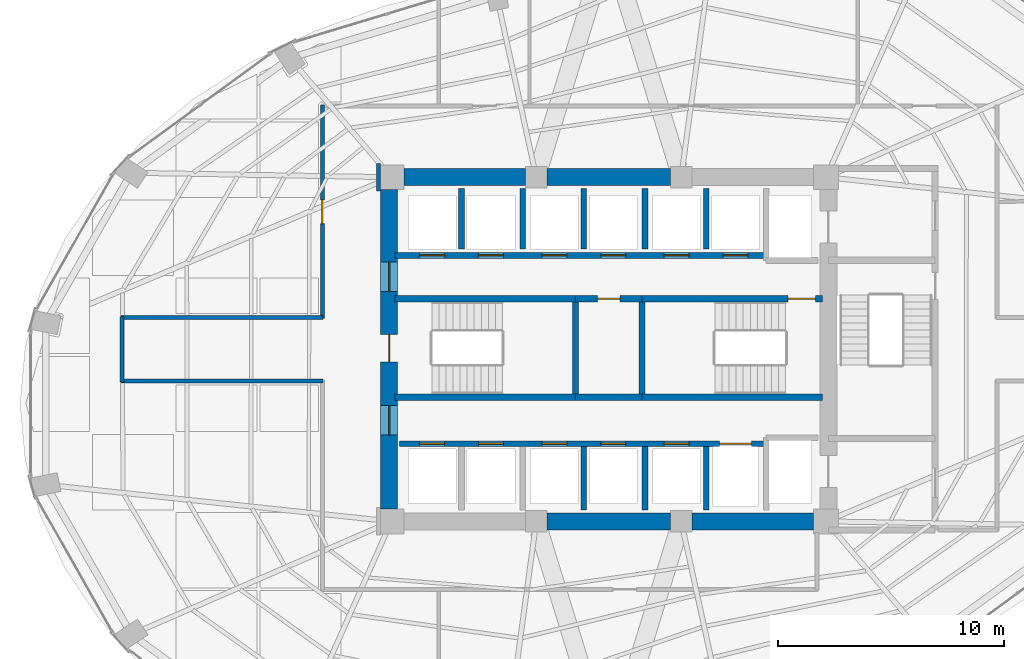
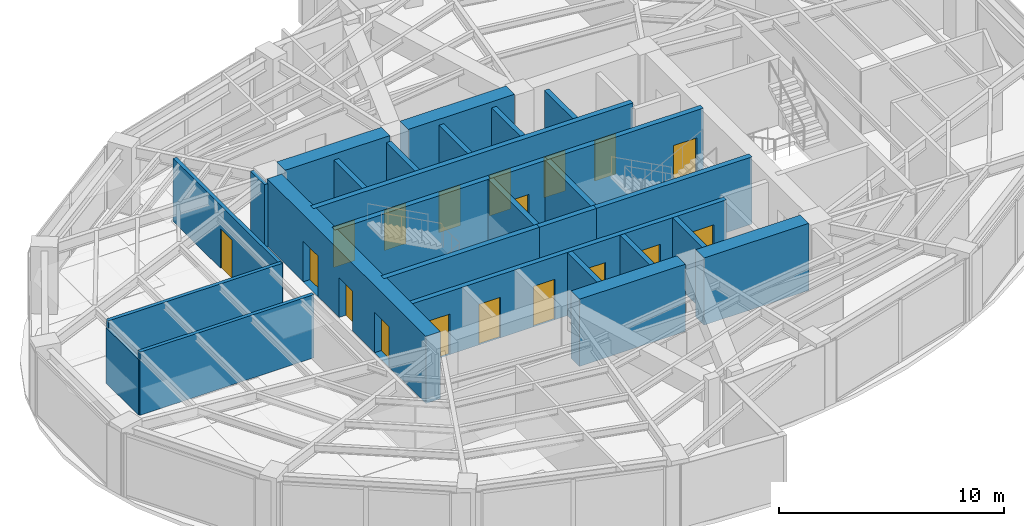
# One storey, part 19 of 23: 28 walls, 18 doors, 18 openings.
"""IFC4 building model written with IfcOpenShell, lengths in metres."""

from ifc_helpers import new_model, si_unit, direction, frame, frame_2d, origin, place, context, subcontext, project, spatial, rectangle, extrude, material, layer, layer_set, type_object, element, fill, save


model = new_model("IFC4")

# Units and contexts
model_context = context("Model", 3, precision=1e-05, world=origin(), true_north=direction((0.0, 1.0)))
body_context = subcontext(model_context, "Body", "Model", "MODEL_VIEW")
ifc_project = project(units=[si_unit("LENGTHUNIT", "METRE"), si_unit("AREAUNIT", "SQUARE_METRE"), si_unit("VOLUMEUNIT", "CUBIC_METRE"), si_unit("PLANEANGLEUNIT", "RADIAN"), si_unit("MASSUNIT", "GRAM", prefix="KILO")], contexts=[model_context])

# Site, building, storey
site_placement = place(None, origin())
site = spatial("IfcSite", under=ifc_project, at=site_placement, CompositionType="ELEMENT")
building_placement = place(site_placement, origin())
building = spatial("IfcBuilding", under=site, at=building_placement, Name="Lazwardi Medical Tower", CompositionType="ELEMENT")
storey_placement = place(building_placement, frame((0.0, 0.0, 121.8720703125)))
storey = spatial("IfcBuildingStorey", under=building, at=storey_placement, Name="L31", CompositionType="ELEMENT", Elevation=121.8720703125)

# Walls
ifc_material_1 = material(Name="Fire-rated gypsum board on steel stud", Category="steel")
ifc_layer_1 = layer(ifc_material_1, 0.179931640625)
ifc_layer_set_1 = layer_set([ifc_layer_1], Name="Fire-rated gypsum board on steel stud")
wall_type_1 = type_object("IfcWallType", Name="WL-COR-180", PredefinedType="PARTITIONING", material=ifc_layer_set_1)
wall_1_placement = place(storey_placement, frame((14.5, 26.56005859375, 0.0), z_axis=(0.0, 0.0, 1.0), x_axis=(0.0, 1.0, 0.0)))
element("IfcWall", 1, at=wall_1_placement, inside=storey, type_object=wall_type_1, Name="L31 Corridor partition 1", PredefinedType="PARTITIONING", context=body_context, shape_type="SweptSolid", body=[
    extrude(rectangle(XDim=2.8798828125, YDim=0.179931640625, at=frame_2d((1.43994140625, 0.0))), origin(), (0.0, 0.0, 1.0), 3.012939453125),
])
wall_2_placement = place(storey_placement, frame((14.4599609375, 29.39990234375, 0.0), z_axis=(0.0, 0.0, 1.0), x_axis=(1.0, 0.0, 0.0)))
element("IfcWall", 2, at=wall_2_placement, inside=storey, type_object=wall_type_1, Name="L31 Corridor partition 2", PredefinedType="PARTITIONING", context=body_context, shape_type="SweptSolid", body=[
    extrude(rectangle(XDim=8.929931640625, YDim=0.179931640625, at=frame_2d((4.46484375, 0.0))), origin(), (0.0, 0.0, 1.0), 3.427978515625),
])

# Wall, opening, door
wall_3_placement = place(storey_placement, frame((23.35009765625, 29.360107421875, 0.0), z_axis=(0.0, 0.0, 1.0), x_axis=(0.0, 1.0, 0.0)))
wall_3 = element("IfcWall", 3, at=wall_3_placement, inside=storey, type_object=wall_type_1, Name="L31 Corridor partition 3", PredefinedType="PARTITIONING", context=body_context, shape_type="SweptSolid", body=[
    extrude(rectangle(XDim=9.429931640625, YDim=0.179931640625, at=frame_2d((4.71484375, 0.0))), origin(), (0.0, 0.0, 1.0), 3.427978515625),
])
opening_1_placement = place(wall_3_placement, frame((4.18994140625, 0.0, 0.0)))
opening_1 = element("IfcOpeningElement", 4, at=opening_1_placement, cuts=wall_3, Name="Opening D-L31-006", PredefinedType="OPENING", context=body_context, shape_type="SweptSolid", body=[
    extrude(rectangle(XDim=1.050048828125, YDim=2.14990234375, at=frame_2d((0.52490234375, 1.074951171875))), frame((0.0, 0.099853515625, 0.0), z_axis=(0.0, -1.0, 0.0), x_axis=(1.0, 0.0, 0.0)), (0.0, 0.0, 1.0), 0.199951171875),
])
ifc_material_2 = material(Name="Anti-microbial laminate hospital leaf")
door_type_1 = type_object("IfcDoorType", Name="DR-CLN-1050", OperationType="NOTDEFINED", PredefinedType="DOOR", material=ifc_material_2)
door_1_placement = place(opening_1_placement, origin())
door_1 = element("IfcDoor", 5, at=door_1_placement, inside=storey, type_object=door_type_1, Name="L31 Medical Duty Staff Room Door 01", OperationType="SINGLE_SWING_LEFT", OverallHeight=2.14990234375, OverallWidth=1.050048828125, PredefinedType="DOOR", context=body_context, shape_type="SweptSolid", body=[
    extrude(rectangle(XDim=1.050048828125, YDim=2.14990234375, at=frame_2d((0.52490234375, 1.074951171875))), frame((0.0, 0.02490234375, 0.0), z_axis=(0.0, -1.0, 0.0), x_axis=(1.0, 0.0, 0.0)), (0.0, 0.0, 1.0), 0.050048828125),
])
fill(opening_1, door_1)

# Walls
wall_4_placement = place(storey_placement, frame((25.830078125, 36.2099609375, 0.0), z_axis=(0.0, 0.0, 1.0), x_axis=(0.0, -1.0, 0.0)))
element("IfcWall", 6, at=wall_4_placement, inside=storey, type_object=wall_type_1, Name="L31 Corridor partition 11", PredefinedType="PARTITIONING", context=body_context, shape_type="SweptSolid", body=[
    extrude(rectangle(XDim=1.219970703125, YDim=0.179931640625, at=frame_2d((0.60986328125, 0.0))), origin(), (0.0, 0.0, 1.0), 3.427978515625),
])
wall_5_placement = place(storey_placement, frame((23.389892578125, 26.60009765625, 0.0), z_axis=(0.0, 0.0, 1.0), x_axis=(-1.0, 0.0, 0.0)))
element("IfcWall", 7, at=wall_5_placement, inside=storey, type_object=wall_type_1, Name="L31 Corridor partition 16", PredefinedType="PARTITIONING", context=body_context, shape_type="SweptSolid", body=[
    extrude(rectangle(XDim=8.929931640625, YDim=0.179931640625, at=frame_2d((4.46484375, 0.0))), origin(), (0.0, 0.0, 1.0), 3.427978515625),
])

# Wall, openings, doors
ifc_material_3 = material(Name="Concrete C70/85", Category="concrete")
ifc_layer_2 = layer(ifc_material_3, 0.75)
ifc_layer_set_2 = layer_set([ifc_layer_2], Name="Concrete C70/85")
wall_type_2 = type_object("IfcWallType", Name="WL-CORE-750", PredefinedType="SHEAR", material=ifc_layer_set_2)
wall_6_placement = place(storey_placement, frame((26.300048828125, 20.949951171875, 0.0), z_axis=(0.0, 0.0, 1.0), x_axis=(0.0, 1.0, 0.0)))
wall_6 = element("IfcWall", 8, at=wall_6_placement, inside=storey, type_object=wall_type_2, Name="Core wall CW-S2 west L31", PredefinedType="SHEAR", context=body_context, shape_type="SweptSolid", body=[
    extrude(rectangle(XDim=14.10009765625, YDim=0.75, at=frame_2d((7.050048828125, 0.0))), origin(), (0.0, 0.0, 1.0), 3.64794921875),
])
opening_2_placement = place(wall_6_placement, frame((6.5, 0.0, 0.0)))
opening_2 = element("IfcOpeningElement", 9, at=opening_2_placement, cuts=wall_6, Name="Opening D-L31-011", PredefinedType="OPENING", context=body_context, shape_type="SweptSolid", body=[
    extrude(rectangle(XDim=1.199951171875, YDim=2.14990234375, at=frame_2d((0.60009765625, 1.074951171875))), frame((0.0, 0.385009765625, 0.0), z_axis=(0.0, -1.0, 0.0), x_axis=(1.0, 0.0, 0.0)), (0.0, 0.0, 1.0), 0.77001953125),
])
opening_3_placement = place(wall_6_placement, frame((9.60009765625, 0.0, 0.0)))
opening_3 = element("IfcOpeningElement", 10, at=opening_3_placement, cuts=wall_6, Name="Opening D-L31-004", PredefinedType="OPENING", context=body_context, shape_type="SweptSolid", body=[
    extrude(rectangle(XDim=1.300048828125, YDim=2.199951171875, at=frame_2d((0.64990234375, 1.10009765625))), frame((0.0, 0.385009765625, 0.0), z_axis=(0.0, -1.0, 0.0), x_axis=(1.0, 0.0, 0.0)), (0.0, 0.0, 1.0), 0.77001953125),
])
opening_4_placement = place(wall_6_placement, frame((3.260009765625, 0.0, 0.0)))
opening_4 = element("IfcOpeningElement", 11, at=opening_4_placement, cuts=wall_6, Name="Opening D-L31-005", PredefinedType="OPENING", context=body_context, shape_type="SweptSolid", body=[
    extrude(rectangle(XDim=1.300048828125, YDim=2.199951171875, at=frame_2d((0.64990234375, 1.10009765625))), frame((0.0, 0.385009765625, 0.0), z_axis=(0.0, -1.0, 0.0), x_axis=(1.0, 0.0, 0.0)), (0.0, 0.0, 1.0), 0.77001953125),
])
ifc_material_4 = material(Name="Fire-rated steel leaf and frame", Category="steel")
door_type_2 = type_object("IfcDoorType", Name="DR-FFL-1300", OperationType="NOTDEFINED", PredefinedType="DOOR", material=ifc_material_4)
door_2_placement = place(opening_3_placement, origin())
door_2 = element("IfcDoor", 12, at=door_2_placement, inside=storey, type_object=door_type_2, Name="L31 North Lift Lobby Door", OperationType="SINGLE_SWING_RIGHT", OverallHeight=2.199951171875, OverallWidth=1.300048828125, PredefinedType="DOOR", context=body_context, shape_type="SweptSolid", body=[
    extrude(rectangle(XDim=1.300048828125, YDim=2.199951171875, at=frame_2d((0.64990234375, 1.10009765625))), frame((0.0, 0.02490234375, 0.0), z_axis=(0.0, -1.0, 0.0), x_axis=(1.0, 0.0, 0.0)), (0.0, 0.0, 1.0), 0.050048828125),
])
fill(opening_3, door_2)
door_3_placement = place(opening_4_placement, origin())
door_3 = element("IfcDoor", 13, at=door_3_placement, inside=storey, type_object=door_type_2, Name="L31 South Lift Lobby Door", OperationType="SINGLE_SWING_LEFT", OverallHeight=2.199951171875, OverallWidth=1.300048828125, PredefinedType="DOOR", context=body_context, shape_type="SweptSolid", body=[
    extrude(rectangle(XDim=1.300048828125, YDim=2.199951171875, at=frame_2d((0.64990234375, 1.10009765625))), frame((0.0, 0.02490234375, 0.0), z_axis=(0.0, -1.0, 0.0), x_axis=(1.0, 0.0, 0.0)), (0.0, 0.0, 1.0), 0.050048828125),
])
fill(opening_4, door_3)
door_type_3 = type_object("IfcDoorType", Name="DR-STR-1200", OperationType="NOTDEFINED", PredefinedType="DOOR", material=ifc_material_4)
door_4_placement = place(opening_2_placement, origin())
door_4 = element("IfcDoor", 14, at=door_4_placement, inside=storey, type_object=door_type_3, Name="L31 Exit Stair ST1 Door", OperationType="SINGLE_SWING_LEFT", OverallHeight=2.14990234375, OverallWidth=1.199951171875, PredefinedType="DOOR", context=body_context, shape_type="SweptSolid", body=[
    extrude(rectangle(XDim=1.199951171875, YDim=2.14990234375, at=frame_2d((0.60009765625, 1.074951171875))), frame((0.0, 0.02490234375, 0.0), z_axis=(0.0, -1.0, 0.0), x_axis=(1.0, 0.0, 0.0)), (0.0, 0.0, 1.0), 0.050048828125),
])
fill(opening_2, door_4)

# Walls
wall_7_placement = place(storey_placement, frame((26.949951171875, 35.60009765625, 0.0), z_axis=(0.0, 0.0, 1.0), x_axis=(1.0, 0.0, 0.0)))
element("IfcWall", 15, at=wall_7_placement, inside=storey, type_object=wall_type_2, Name="Core wall CW-S2 N1 L31", PredefinedType="SHEAR", context=body_context, shape_type="SweptSolid", body=[
    extrude(rectangle(XDim=5.375, YDim=0.75, at=frame_2d((2.6875, 0.0))), origin(), (0.0, 0.0, 1.0), 3.64794921875),
])
for number, where, z_axis, x_axis, name in (
    (16, (33.27490234375, 20.39990234375, 0.0), (0.0, 0.0, 1.0), (1.0, 0.0, 0.0), "Core wall CW-S2 S2 L31"),
    (17, (33.27490234375, 35.60009765625, 0.0), (0.0, 0.0, 1.0), (1.0, 0.0, 0.0), "Core wall CW-S2 N2 L31"),
):
    element("IfcWall", number, at=place(storey_placement, frame(where, z_axis=z_axis, x_axis=x_axis)), inside=storey, type_object=wall_type_2, Name=name, PredefinedType="SHEAR", context=body_context, shape_type="SweptSolid", body=[
        extrude(rectangle(XDim=5.4501953125, YDim=0.75, at=frame_2d((2.72509765625, 0.0))), origin(), (0.0, 0.0, 1.0), 3.64794921875),
    ])
wall_8_placement = place(storey_placement, frame((39.675048828125, 20.39990234375, 0.0), z_axis=(0.0, 0.0, 1.0), x_axis=(1.0, 0.0, 0.0)))
element("IfcWall", 18, at=wall_8_placement, inside=storey, type_object=wall_type_2, Name="Core wall CW-S2 S3 L31", PredefinedType="SHEAR", context=body_context, shape_type="SweptSolid", body=[
    extrude(rectangle(XDim=5.375, YDim=0.75, at=frame_2d((2.6875, 0.0))), origin(), (0.0, 0.0, 1.0), 3.64794921875),
])

# Wall, openings, doors
ifc_material_5 = material(Name="Autoclaved aerated concrete blockwork", Category="masonry")
ifc_layer_3 = layer(ifc_material_5, 0.25)
ifc_layer_set_3 = layer_set([ifc_layer_3], Name="Autoclaved aerated concrete blockwork")
wall_type_3 = type_object("IfcWallType", Name="WL-SHAFT-250", PredefinedType="SOLIDWALL", material=ifc_layer_set_3)
wall_9_placement = place(storey_placement, frame((26.75, 23.830078125, 0.0), z_axis=(0.0, 0.0, 1.0), x_axis=(1.0, 0.0, 0.0)))
wall_9 = element("IfcWall", 19, at=wall_9_placement, inside=storey, type_object=wall_type_3, Name="L31 South lift bank front wall", PredefinedType="SOLIDWALL", context=body_context, shape_type="SweptSolid", body=[
    extrude(rectangle(XDim=16.199951171875, YDim=0.25, at=frame_2d((8.10009765625, 0.0))), origin(), (0.0, 0.0, 1.0), 3.427978515625),
])
opening_5_placement = place(wall_9_placement, frame((0.89990234375, 0.0, 0.0)))
opening_5 = element("IfcOpeningElement", 20, at=opening_5_placement, cuts=wall_9, Name="Opening LD-L31-006", PredefinedType="OPENING", context=body_context, shape_type="SweptSolid", body=[
    extrude(rectangle(XDim=1.10009765625, YDim=2.199951171875, at=frame_2d((0.550048828125, 1.10009765625))), frame((0.0, 0.135009765625, 0.0), z_axis=(0.0, -1.0, 0.0), x_axis=(1.0, 0.0, 0.0)), (0.0, 0.0, 1.0), 0.27001953125),
])
opening_6_placement = place(wall_9_placement, frame((3.5, 0.0, 0.0)))
opening_6 = element("IfcOpeningElement", 21, at=opening_6_placement, cuts=wall_9, Name="Opening LD-L31-007", PredefinedType="OPENING", context=body_context, shape_type="SweptSolid", body=[
    extrude(rectangle(XDim=1.10009765625, YDim=2.199951171875, at=frame_2d((0.550048828125, 1.10009765625))), frame((0.0, 0.135009765625, 0.0), z_axis=(0.0, -1.0, 0.0), x_axis=(1.0, 0.0, 0.0)), (0.0, 0.0, 1.0), 0.27001953125),
])
opening_7_placement = place(wall_9_placement, frame((6.300048828125, 0.0, 0.0)))
opening_7 = element("IfcOpeningElement", 22, at=opening_7_placement, cuts=wall_9, Name="Opening LD-L31-010", PredefinedType="OPENING", context=body_context, shape_type="SweptSolid", body=[
    extrude(rectangle(XDim=1.10009765625, YDim=2.199951171875, at=frame_2d((0.550048828125, 1.10009765625))), frame((0.0, 0.135009765625, 0.0), z_axis=(0.0, -1.0, 0.0), x_axis=(1.0, 0.0, 0.0)), (0.0, 0.0, 1.0), 0.27001953125),
])
opening_8_placement = place(wall_9_placement, frame((8.89990234375, 0.0, 0.0)))
opening_8 = element("IfcOpeningElement", 23, at=opening_8_placement, cuts=wall_9, Name="Opening LD-L31-011", PredefinedType="OPENING", context=body_context, shape_type="SweptSolid", body=[
    extrude(rectangle(XDim=1.10009765625, YDim=2.199951171875, at=frame_2d((0.550048828125, 1.10009765625))), frame((0.0, 0.135009765625, 0.0), z_axis=(0.0, -1.0, 0.0), x_axis=(1.0, 0.0, 0.0)), (0.0, 0.0, 1.0), 0.27001953125),
])
opening_9_placement = place(wall_9_placement, frame((11.699951171875, 0.0, 0.0)))
opening_9 = element("IfcOpeningElement", 24, at=opening_9_placement, cuts=wall_9, Name="Opening LD-L31-014", PredefinedType="OPENING", context=body_context, shape_type="SweptSolid", body=[
    extrude(rectangle(XDim=1.10009765625, YDim=2.199951171875, at=frame_2d((0.550048828125, 1.10009765625))), frame((0.0, 0.135009765625, 0.0), z_axis=(0.0, -1.0, 0.0), x_axis=(1.0, 0.0, 0.0)), (0.0, 0.0, 1.0), 0.27001953125),
])
opening_10_placement = place(wall_9_placement, frame((14.14990234375, 0.0, 0.0)))
opening_10 = element("IfcOpeningElement", 25, at=opening_10_placement, cuts=wall_9, Name="Opening LD-L31-003", PredefinedType="OPENING", context=body_context, shape_type="SweptSolid", body=[
    extrude(rectangle(XDim=1.39990234375, YDim=2.300048828125, at=frame_2d((0.699951171875, 1.14990234375))), frame((0.0, 0.135009765625, 0.0), z_axis=(0.0, -1.0, 0.0), x_axis=(1.0, 0.0, 0.0)), (0.0, 0.0, 1.0), 0.27001953125),
])
ifc_material_6 = material(Name="Brushed bronze stainless steel landing door", Category="steel")
door_type_4 = type_object("IfcDoorType", Name="DR-LFT-1100", OperationType="NOTDEFINED", PredefinedType="DOOR", material=ifc_material_6)
door_5_placement = place(opening_5_placement, origin())
door_5 = element("IfcDoor", 26, at=door_5_placement, inside=storey, type_object=door_type_4, Name="L31 Lift Landing Door PL-03", OperationType="SLIDING_TO_LEFT", OverallHeight=2.199951171875, OverallWidth=1.10009765625, PredefinedType="DOOR", context=body_context, shape_type="SweptSolid", body=[
    extrude(rectangle(XDim=1.10009765625, YDim=2.199951171875, at=frame_2d((0.550048828125, 1.10009765625))), frame((0.0, 0.02490234375, 0.0), z_axis=(0.0, -1.0, 0.0), x_axis=(1.0, 0.0, 0.0)), (0.0, 0.0, 1.0), 0.050048828125),
])
fill(opening_5, door_5)
door_6_placement = place(opening_6_placement, origin())
door_6 = element("IfcDoor", 27, at=door_6_placement, inside=storey, type_object=door_type_4, Name="L31 Lift Landing Door PL-04", OperationType="SLIDING_TO_LEFT", OverallHeight=2.199951171875, OverallWidth=1.10009765625, PredefinedType="DOOR", context=body_context, shape_type="SweptSolid", body=[
    extrude(rectangle(XDim=1.10009765625, YDim=2.199951171875, at=frame_2d((0.550048828125, 1.10009765625))), frame((0.0, 0.02490234375, 0.0), z_axis=(0.0, -1.0, 0.0), x_axis=(1.0, 0.0, 0.0)), (0.0, 0.0, 1.0), 0.050048828125),
])
fill(opening_6, door_6)
door_7_placement = place(opening_7_placement, origin())
door_7 = element("IfcDoor", 28, at=door_7_placement, inside=storey, type_object=door_type_4, Name="L31 Lift Landing Door PL-07", OperationType="SLIDING_TO_LEFT", OverallHeight=2.199951171875, OverallWidth=1.10009765625, PredefinedType="DOOR", context=body_context, shape_type="SweptSolid", body=[
    extrude(rectangle(XDim=1.10009765625, YDim=2.199951171875, at=frame_2d((0.550048828125, 1.10009765625))), frame((0.0, 0.02490234375, 0.0), z_axis=(0.0, -1.0, 0.0), x_axis=(1.0, 0.0, 0.0)), (0.0, 0.0, 1.0), 0.050048828125),
])
fill(opening_7, door_7)
door_8_placement = place(opening_8_placement, origin())
door_8 = element("IfcDoor", 29, at=door_8_placement, inside=storey, type_object=door_type_4, Name="L31 Lift Landing Door PL-08", OperationType="SLIDING_TO_LEFT", OverallHeight=2.199951171875, OverallWidth=1.10009765625, PredefinedType="DOOR", context=body_context, shape_type="SweptSolid", body=[
    extrude(rectangle(XDim=1.10009765625, YDim=2.199951171875, at=frame_2d((0.550048828125, 1.10009765625))), frame((0.0, 0.02490234375, 0.0), z_axis=(0.0, -1.0, 0.0), x_axis=(1.0, 0.0, 0.0)), (0.0, 0.0, 1.0), 0.050048828125),
])
fill(opening_8, door_8)
door_9_placement = place(opening_9_placement, origin())
door_9 = element("IfcDoor", 30, at=door_9_placement, inside=storey, type_object=door_type_4, Name="L31 Lift Landing Door PL-11", OperationType="SLIDING_TO_LEFT", OverallHeight=2.199951171875, OverallWidth=1.10009765625, PredefinedType="DOOR", context=body_context, shape_type="SweptSolid", body=[
    extrude(rectangle(XDim=1.10009765625, YDim=2.199951171875, at=frame_2d((0.550048828125, 1.10009765625))), frame((0.0, 0.02490234375, 0.0), z_axis=(0.0, -1.0, 0.0), x_axis=(1.0, 0.0, 0.0)), (0.0, 0.0, 1.0), 0.050048828125),
])
fill(opening_9, door_9)
ifc_material_7 = material(Name="Brushed stainless steel bed-lift landing door", Category="steel")
door_type_5 = type_object("IfcDoorType", Name="DR-LFT-1400", OperationType="NOTDEFINED", PredefinedType="DOOR", material=ifc_material_7)
door_10_placement = place(opening_10_placement, origin())
door_10 = element("IfcDoor", 31, at=door_10_placement, inside=storey, type_object=door_type_5, Name="L31 Lift Landing Door FL-03", OperationType="SLIDING_TO_LEFT", OverallHeight=2.300048828125, OverallWidth=1.39990234375, PredefinedType="DOOR", context=body_context, shape_type="SweptSolid", body=[
    extrude(rectangle(XDim=1.39990234375, YDim=2.300048828125, at=frame_2d((0.699951171875, 1.14990234375))), frame((0.0, 0.02490234375, 0.0), z_axis=(0.0, -1.0, 0.0), x_axis=(1.0, 0.0, 0.0)), (0.0, 0.0, 1.0), 0.050048828125),
])
fill(opening_10, door_10)

# Walls
for number, where, z_axis, x_axis, name in (
    (32, (29.5, 32.419921875, 0.0), (0.0, 0.0, 1.0), (0.0, 1.0, 0.0), "L31 North hoistway divider"),
    (33, (32.199951171875, 32.419921875, 0.0), (0.0, 0.0, 1.0), (0.0, 1.0, 0.0), "L31 North hoistway divider"),
    (34, (34.89990234375, 32.419921875, 0.0), (0.0, 0.0, 1.0), (0.0, 1.0, 0.0), "L31 North hoistway divider"),
):
    element("IfcWall", number, at=place(storey_placement, frame(where, z_axis=z_axis, x_axis=x_axis)), inside=storey, type_object=wall_type_3, Name=name, PredefinedType="SOLIDWALL", context=body_context, shape_type="SweptSolid", body=[
        extrude(rectangle(XDim=2.68017578125, YDim=0.25, at=frame_2d((1.340087890625, 0.0))), origin(), (0.0, 0.0, 1.0), 3.427978515625),
    ])
wall_10_placement = place(storey_placement, frame((34.89990234375, 20.89990234375, 0.0), z_axis=(0.0, 0.0, 1.0), x_axis=(0.0, 1.0, 0.0)))
element("IfcWall", 35, at=wall_10_placement, inside=storey, type_object=wall_type_3, Name="L31 South hoistway divider", PredefinedType="SOLIDWALL", context=body_context, shape_type="SweptSolid", body=[
    extrude(rectangle(XDim=2.800048828125, YDim=0.25, at=frame_2d((1.39990234375, 0.0))), origin(), (0.0, 0.0, 1.0), 3.427978515625),
])
wall_11_placement = place(storey_placement, frame((37.60009765625, 32.419921875, 0.0), z_axis=(0.0, 0.0, 1.0), x_axis=(0.0, 1.0, 0.0)))
element("IfcWall", 36, at=wall_11_placement, inside=storey, type_object=wall_type_3, Name="L31 North hoistway divider", PredefinedType="SOLIDWALL", context=body_context, shape_type="SweptSolid", body=[
    extrude(rectangle(XDim=2.68017578125, YDim=0.25, at=frame_2d((1.340087890625, 0.0))), origin(), (0.0, 0.0, 1.0), 3.427978515625),
])
wall_12_placement = place(storey_placement, frame((37.60009765625, 20.89990234375, 0.0), z_axis=(0.0, 0.0, 1.0), x_axis=(0.0, 1.0, 0.0)))
element("IfcWall", 37, at=wall_12_placement, inside=storey, type_object=wall_type_3, Name="L31 South hoistway divider", PredefinedType="SOLIDWALL", context=body_context, shape_type="SweptSolid", body=[
    extrude(rectangle(XDim=2.800048828125, YDim=0.25, at=frame_2d((1.39990234375, 0.0))), origin(), (0.0, 0.0, 1.0), 3.427978515625),
])
wall_13_placement = place(storey_placement, frame((40.300048828125, 32.419921875, 0.0), z_axis=(0.0, 0.0, 1.0), x_axis=(0.0, 1.0, 0.0)))
element("IfcWall", 38, at=wall_13_placement, inside=storey, type_object=wall_type_3, Name="L31 North hoistway divider", PredefinedType="SOLIDWALL", context=body_context, shape_type="SweptSolid", body=[
    extrude(rectangle(XDim=2.68017578125, YDim=0.25, at=frame_2d((1.340087890625, 0.0))), origin(), (0.0, 0.0, 1.0), 3.427978515625),
])
wall_14_placement = place(storey_placement, frame((40.300048828125, 20.89990234375, 0.0), z_axis=(0.0, 0.0, 1.0), x_axis=(0.0, 1.0, 0.0)))
element("IfcWall", 39, at=wall_14_placement, inside=storey, type_object=wall_type_3, Name="L31 South hoistway divider", PredefinedType="SOLIDWALL", context=body_context, shape_type="SweptSolid", body=[
    extrude(rectangle(XDim=2.800048828125, YDim=0.25, at=frame_2d((1.39990234375, 0.0))), origin(), (0.0, 0.0, 1.0), 3.427978515625),
])
ifc_material_8 = material(Name="Concrete C50/60", Category="concrete")
ifc_layer_4 = layer(ifc_material_8, 0.27001953125)
ifc_layer_set_4 = layer_set([ifc_layer_4], Name="Concrete C50/60")
wall_type_4 = type_object("IfcWallType", Name="WL-STR-250", PredefinedType="SHEAR", material=ifc_layer_set_4)
wall_15_placement = place(storey_placement, frame((26.550048828125, 30.235107421875, 0.0), z_axis=(0.0, 0.0, 1.0), x_axis=(1.0, 0.0, 0.0)))
element("IfcWall", 40, at=wall_15_placement, inside=storey, type_object=wall_type_4, Name="L31 ST1 North shear shaft wall SW-S1", PredefinedType="SHEAR", context=body_context, shape_type="SweptSolid", body=[
    extrude(rectangle(XDim=7.98486328125, YDim=0.27001953125, at=frame_2d((3.992431640625, 0.0))), origin(), (0.0, 0.0, 1.0), 3.64794921875),
])

# Wall, opening, door
wall_16_placement = place(storey_placement, frame((34.534912109375, 30.235107421875, 0.0), z_axis=(0.0, 0.0, 1.0), x_axis=(1.0, 0.0, 0.0)))
wall_16 = element("IfcWall", 41, at=wall_16_placement, inside=storey, type_object=wall_type_4, Name="L31 Core service North shear wall SW-S1", PredefinedType="SHEAR", context=body_context, shape_type="SweptSolid", body=[
    extrude(rectangle(XDim=2.93017578125, YDim=0.27001953125, at=frame_2d((1.465087890625, 0.0))), origin(), (0.0, 0.0, 1.0), 3.64794921875),
])
opening_11_placement = place(wall_16_placement, frame((0.965087890625, 0.0, 0.0)))
opening_11 = element("IfcOpeningElement", 42, at=opening_11_placement, cuts=wall_16, Name="Opening D-L31-001", PredefinedType="OPENING", context=body_context, shape_type="SweptSolid", body=[
    extrude(rectangle(XDim=1.0, YDim=2.10009765625, at=frame_2d((0.5, 1.050048828125))), frame((0.0, 0.14501953125, 0.0), z_axis=(0.0, -1.0, 0.0), x_axis=(1.0, 0.0, 0.0)), (0.0, 0.0, 1.0), 0.2900390625),
])
ifc_material_9 = material(Name="Moisture-resistant laminate door leaf")
door_type_6 = type_object("IfcDoorType", Name="DR-AWC-1000", OperationType="NOTDEFINED", PredefinedType="DOOR", material=ifc_material_9)
door_11_placement = place(opening_11_placement, origin())
door_11 = element("IfcDoor", 43, at=door_11_placement, inside=storey, type_object=door_type_6, Name="L31 Accessible WC Door", OperationType="SINGLE_SWING_LEFT", OverallHeight=2.10009765625, OverallWidth=1.0, PredefinedType="DOOR", context=body_context, shape_type="SweptSolid", body=[
    extrude(rectangle(XDim=1.0, YDim=2.10009765625, at=frame_2d((0.5, 1.050048828125))), frame((0.0, 0.02490234375, 0.0), z_axis=(0.0, -1.0, 0.0), x_axis=(1.0, 0.0, 0.0)), (0.0, 0.0, 1.0), 0.050048828125),
])
fill(opening_11, door_11)

wall_17_placement = place(storey_placement, frame((37.465087890625, 30.235107421875, 0.0), z_axis=(0.0, 0.0, 1.0), x_axis=(1.0, 0.0, 0.0)))
wall_17 = element("IfcWall", 44, at=wall_17_placement, inside=storey, type_object=wall_type_4, Name="L31 ST2 North shear shaft wall SW-S1", PredefinedType="SHEAR", context=body_context, shape_type="SweptSolid", body=[
    extrude(rectangle(XDim=7.98486328125, YDim=0.27001953125, at=frame_2d((3.992431640625, 0.0))), origin(), (0.0, 0.0, 1.0), 3.64794921875),
])
opening_12_placement = place(wall_17_placement, frame((6.455078125, 0.0, 0.0)))
opening_12 = element("IfcOpeningElement", 45, at=opening_12_placement, cuts=wall_17, Name="Opening D-L31-012", PredefinedType="OPENING", context=body_context, shape_type="SweptSolid", body=[
    extrude(rectangle(XDim=1.199951171875, YDim=2.14990234375, at=frame_2d((0.60009765625, 1.074951171875))), frame((0.0, 0.14501953125, 0.0), z_axis=(0.0, -1.0, 0.0), x_axis=(1.0, 0.0, 0.0)), (0.0, 0.0, 1.0), 0.2900390625),
])
door_12_placement = place(opening_12_placement, origin())
door_12 = element("IfcDoor", 46, at=door_12_placement, inside=storey, type_object=door_type_3, Name="L31 Exit Stair ST2 Door", OperationType="SINGLE_SWING_RIGHT", OverallHeight=2.14990234375, OverallWidth=1.199951171875, PredefinedType="DOOR", context=body_context, shape_type="SweptSolid", body=[
    extrude(rectangle(XDim=1.199951171875, YDim=2.14990234375, at=frame_2d((0.60009765625, 1.074951171875))), frame((0.0, 0.02490234375, 0.0), z_axis=(0.0, -1.0, 0.0), x_axis=(1.0, 0.0, 0.0)), (0.0, 0.0, 1.0), 0.050048828125),
])
fill(opening_12, door_12)

# Walls
wall_18_placement = place(storey_placement, frame((26.550048828125, 25.885009765625, 0.0), z_axis=(0.0, 0.0, 1.0), x_axis=(1.0, 0.0, 0.0)))
element("IfcWall", 47, at=wall_18_placement, inside=storey, type_object=wall_type_4, Name="L31 ST1 South shear shaft wall SW-S1", PredefinedType="SHEAR", context=body_context, shape_type="SweptSolid", body=[
    extrude(rectangle(XDim=7.98486328125, YDim=0.27001953125, at=frame_2d((3.992431640625, 0.0))), origin(), (0.0, 0.0, 1.0), 3.64794921875),
])
wall_19_placement = place(storey_placement, frame((34.534912109375, 25.885009765625, 0.0), z_axis=(0.0, 0.0, 1.0), x_axis=(1.0, 0.0, 0.0)))
element("IfcWall", 48, at=wall_19_placement, inside=storey, type_object=wall_type_4, Name="L31 Core service South shear wall SW-S1", PredefinedType="SHEAR", context=body_context, shape_type="SweptSolid", body=[
    extrude(rectangle(XDim=2.93017578125, YDim=0.27001953125, at=frame_2d((1.465087890625, 0.0))), origin(), (0.0, 0.0, 1.0), 3.64794921875),
])
wall_20_placement = place(storey_placement, frame((37.465087890625, 25.885009765625, 0.0), z_axis=(0.0, 0.0, 1.0), x_axis=(1.0, 0.0, 0.0)))
element("IfcWall", 49, at=wall_20_placement, inside=storey, type_object=wall_type_4, Name="L31 ST2 South shear shaft wall SW-S1", PredefinedType="SHEAR", context=body_context, shape_type="SweptSolid", body=[
    extrude(rectangle(XDim=7.98486328125, YDim=0.27001953125, at=frame_2d((3.992431640625, 0.0))), origin(), (0.0, 0.0, 1.0), 3.64794921875),
])
for number, where, z_axis, x_axis, name in (
    (50, (34.534912109375, 26.02001953125, 0.0), (0.0, 0.0, 1.0), (0.0, 1.0, 0.0), "L31 ST1 East shear shaft wall SW-S1"),
    (51, (37.465087890625, 26.02001953125, 0.0), (0.0, 0.0, 1.0), (0.0, 1.0, 0.0), "L31 ST2 West shear shaft wall SW-S1"),
):
    element("IfcWall", number, at=place(storey_placement, frame(where, z_axis=z_axis, x_axis=x_axis)), inside=storey, type_object=wall_type_4, Name=name, PredefinedType="SHEAR", context=body_context, shape_type="SweptSolid", body=[
        extrude(rectangle(XDim=4.080078125, YDim=0.27001953125, at=frame_2d((2.0400390625, 0.0))), origin(), (0.0, 0.0, 1.0), 3.64794921875),
    ])

# Wall, openings, doors
wall_21_placement = place(storey_placement, frame((26.550048828125, 32.14990234375, 0.0), z_axis=(0.0, 0.0, 1.0), x_axis=(1.0, 0.0, 0.0)))
wall_21 = element("IfcWall", 52, at=wall_21_placement, inside=storey, type_object=wall_type_4, Name="L31 North lift bank shear wall SW-S1", PredefinedType="SHEAR", context=body_context, shape_type="SweptSolid", body=[
    extrude(rectangle(XDim=16.39990234375, YDim=0.27001953125, at=frame_2d((8.199951171875, 0.0))), origin(), (0.0, 0.0, 1.0), 3.64794921875),
])
opening_13_placement = place(wall_21_placement, frame((1.10009765625, 0.0, 0.0)))
opening_13 = element("IfcOpeningElement", 53, at=opening_13_placement, cuts=wall_21, Name="Opening LD-L31-004", PredefinedType="OPENING", context=body_context, shape_type="SweptSolid", body=[
    extrude(rectangle(XDim=1.10009765625, YDim=2.199951171875, at=frame_2d((0.550048828125, 1.10009765625))), frame((0.0, 0.14501953125, 0.0), z_axis=(0.0, -1.0, 0.0), x_axis=(1.0, 0.0, 0.0)), (0.0, 0.0, 1.0), 0.2900390625),
])
opening_14_placement = place(wall_21_placement, frame((3.699951171875, 0.0, 0.0)))
opening_14 = element("IfcOpeningElement", 54, at=opening_14_placement, cuts=wall_21, Name="Opening LD-L31-005", PredefinedType="OPENING", context=body_context, shape_type="SweptSolid", body=[
    extrude(rectangle(XDim=1.10009765625, YDim=2.199951171875, at=frame_2d((0.550048828125, 1.10009765625))), frame((0.0, 0.14501953125, 0.0), z_axis=(0.0, -1.0, 0.0), x_axis=(1.0, 0.0, 0.0)), (0.0, 0.0, 1.0), 0.2900390625),
])
opening_15_placement = place(wall_21_placement, frame((6.5, 0.0, 0.0)))
opening_15 = element("IfcOpeningElement", 55, at=opening_15_placement, cuts=wall_21, Name="Opening LD-L31-008", PredefinedType="OPENING", context=body_context, shape_type="SweptSolid", body=[
    extrude(rectangle(XDim=1.10009765625, YDim=2.199951171875, at=frame_2d((0.550048828125, 1.10009765625))), frame((0.0, 0.14501953125, 0.0), z_axis=(0.0, -1.0, 0.0), x_axis=(1.0, 0.0, 0.0)), (0.0, 0.0, 1.0), 0.2900390625),
])
opening_16_placement = place(wall_21_placement, frame((9.10009765625, 0.0, 0.0)))
opening_16 = element("IfcOpeningElement", 56, at=opening_16_placement, cuts=wall_21, Name="Opening LD-L31-009", PredefinedType="OPENING", context=body_context, shape_type="SweptSolid", body=[
    extrude(rectangle(XDim=1.10009765625, YDim=2.199951171875, at=frame_2d((0.550048828125, 1.10009765625))), frame((0.0, 0.14501953125, 0.0), z_axis=(0.0, -1.0, 0.0), x_axis=(1.0, 0.0, 0.0)), (0.0, 0.0, 1.0), 0.2900390625),
])
opening_17_placement = place(wall_21_placement, frame((11.89990234375, 0.0, 0.0)))
opening_17 = element("IfcOpeningElement", 57, at=opening_17_placement, cuts=wall_21, Name="Opening LD-L31-012", PredefinedType="OPENING", context=body_context, shape_type="SweptSolid", body=[
    extrude(rectangle(XDim=1.10009765625, YDim=2.199951171875, at=frame_2d((0.550048828125, 1.10009765625))), frame((0.0, 0.14501953125, 0.0), z_axis=(0.0, -1.0, 0.0), x_axis=(1.0, 0.0, 0.0)), (0.0, 0.0, 1.0), 0.2900390625),
])
opening_18_placement = place(wall_21_placement, frame((14.5, 0.0, 0.0)))
opening_18 = element("IfcOpeningElement", 58, at=opening_18_placement, cuts=wall_21, Name="Opening LD-L31-013", PredefinedType="OPENING", context=body_context, shape_type="SweptSolid", body=[
    extrude(rectangle(XDim=1.10009765625, YDim=2.199951171875, at=frame_2d((0.550048828125, 1.10009765625))), frame((0.0, 0.14501953125, 0.0), z_axis=(0.0, -1.0, 0.0), x_axis=(1.0, 0.0, 0.0)), (0.0, 0.0, 1.0), 0.2900390625),
])
door_13_placement = place(opening_13_placement, origin())
door_13 = element("IfcDoor", 59, at=door_13_placement, inside=storey, type_object=door_type_4, Name="L31 Lift Landing Door PL-01", OperationType="SLIDING_TO_LEFT", OverallHeight=2.199951171875, OverallWidth=1.10009765625, PredefinedType="DOOR", context=body_context, shape_type="SweptSolid", body=[
    extrude(rectangle(XDim=1.10009765625, YDim=2.199951171875, at=frame_2d((0.550048828125, 1.10009765625))), frame((0.0, 0.02490234375, 0.0), z_axis=(0.0, -1.0, 0.0), x_axis=(1.0, 0.0, 0.0)), (0.0, 0.0, 1.0), 0.050048828125),
])
fill(opening_13, door_13)
door_14_placement = place(opening_14_placement, origin())
door_14 = element("IfcDoor", 60, at=door_14_placement, inside=storey, type_object=door_type_4, Name="L31 Lift Landing Door PL-02", OperationType="SLIDING_TO_LEFT", OverallHeight=2.199951171875, OverallWidth=1.10009765625, PredefinedType="DOOR", context=body_context, shape_type="SweptSolid", body=[
    extrude(rectangle(XDim=1.10009765625, YDim=2.199951171875, at=frame_2d((0.550048828125, 1.10009765625))), frame((0.0, 0.02490234375, 0.0), z_axis=(0.0, -1.0, 0.0), x_axis=(1.0, 0.0, 0.0)), (0.0, 0.0, 1.0), 0.050048828125),
])
fill(opening_14, door_14)
door_15_placement = place(opening_15_placement, origin())
door_15 = element("IfcDoor", 61, at=door_15_placement, inside=storey, type_object=door_type_4, Name="L31 Lift Landing Door PL-05", OperationType="SLIDING_TO_LEFT", OverallHeight=2.199951171875, OverallWidth=1.10009765625, PredefinedType="DOOR", context=body_context, shape_type="SweptSolid", body=[
    extrude(rectangle(XDim=1.10009765625, YDim=2.199951171875, at=frame_2d((0.550048828125, 1.10009765625))), frame((0.0, 0.02490234375, 0.0), z_axis=(0.0, -1.0, 0.0), x_axis=(1.0, 0.0, 0.0)), (0.0, 0.0, 1.0), 0.050048828125),
])
fill(opening_15, door_15)
door_16_placement = place(opening_16_placement, origin())
door_16 = element("IfcDoor", 62, at=door_16_placement, inside=storey, type_object=door_type_4, Name="L31 Lift Landing Door PL-06", OperationType="SLIDING_TO_LEFT", OverallHeight=2.199951171875, OverallWidth=1.10009765625, PredefinedType="DOOR", context=body_context, shape_type="SweptSolid", body=[
    extrude(rectangle(XDim=1.10009765625, YDim=2.199951171875, at=frame_2d((0.550048828125, 1.10009765625))), frame((0.0, 0.02490234375, 0.0), z_axis=(0.0, -1.0, 0.0), x_axis=(1.0, 0.0, 0.0)), (0.0, 0.0, 1.0), 0.050048828125),
])
fill(opening_16, door_16)
door_17_placement = place(opening_17_placement, origin())
door_17 = element("IfcDoor", 63, at=door_17_placement, inside=storey, type_object=door_type_4, Name="L31 Lift Landing Door PL-09", OperationType="SLIDING_TO_LEFT", OverallHeight=2.199951171875, OverallWidth=1.10009765625, PredefinedType="DOOR", context=body_context, shape_type="SweptSolid", body=[
    extrude(rectangle(XDim=1.10009765625, YDim=2.199951171875, at=frame_2d((0.550048828125, 1.10009765625))), frame((0.0, 0.02490234375, 0.0), z_axis=(0.0, -1.0, 0.0), x_axis=(1.0, 0.0, 0.0)), (0.0, 0.0, 1.0), 0.050048828125),
])
fill(opening_17, door_17)
door_18_placement = place(opening_18_placement, origin())
door_18 = element("IfcDoor", 64, at=door_18_placement, inside=storey, type_object=door_type_4, Name="L31 Lift Landing Door PL-10", OperationType="SLIDING_TO_LEFT", OverallHeight=2.199951171875, OverallWidth=1.10009765625, PredefinedType="DOOR", context=body_context, shape_type="SweptSolid", body=[
    extrude(rectangle(XDim=1.10009765625, YDim=2.199951171875, at=frame_2d((0.550048828125, 1.10009765625))), frame((0.0, 0.02490234375, 0.0), z_axis=(0.0, -1.0, 0.0), x_axis=(1.0, 0.0, 0.0)), (0.0, 0.0, 1.0), 0.050048828125),
])
fill(opening_18, door_18)

save(model, "model.ifc")
